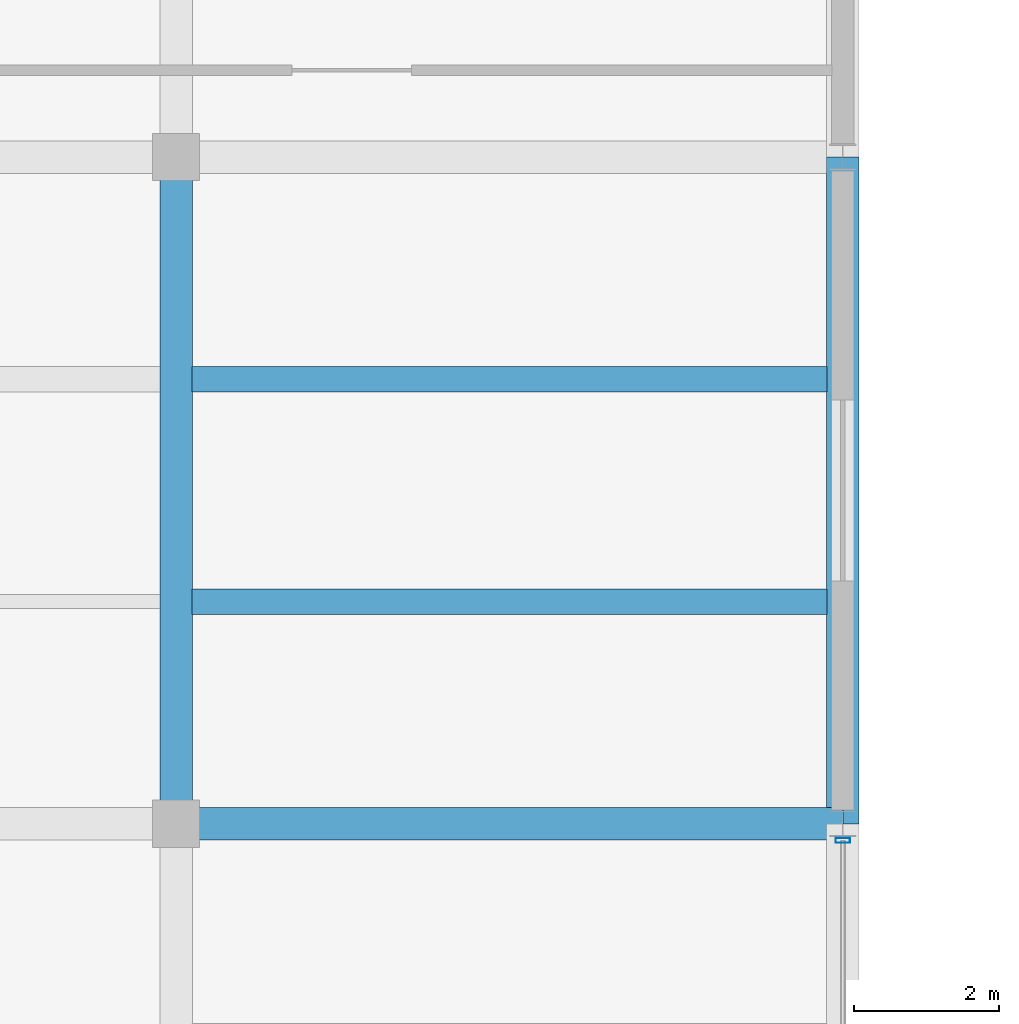
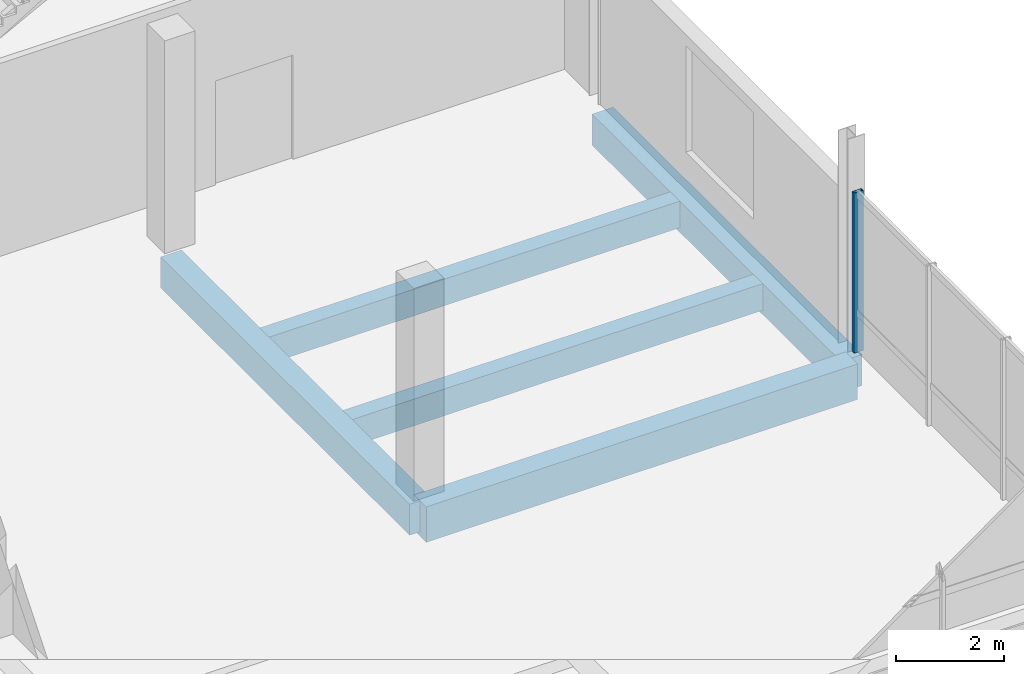
# One storey, part 19 of 71: 5 beams, 1 member, 1 element without a shape of its own.
"""IFC4 building model written with IfcOpenShell, lengths in metres."""

from ifc_helpers import new_model, si_unit, direction, frame, origin, origin_2d, place, context, subcontext, project, spatial, rectangle, hollow_rectangle, extrude, material, layer, layer_set, material_profile, profile_set, type_object, element, aggregate, save


model = new_model("IFC4")

# Units and contexts
model_context = context("Model", 3, precision=1e-05, world=origin(), true_north=direction((0.0, 1.0)))
body_context = subcontext(model_context, "Body", "Model", "MODEL_VIEW")
ifc_project = project(units=[si_unit("LENGTHUNIT", "METRE"), si_unit("AREAUNIT", "SQUARE_METRE"), si_unit("VOLUMEUNIT", "CUBIC_METRE"), si_unit("PLANEANGLEUNIT", "RADIAN"), si_unit("MASSUNIT", "GRAM", prefix="KILO")], contexts=[model_context])

# Site, building, storey
site_placement = place(None, origin())
site = spatial("IfcSite", under=ifc_project, at=site_placement, CompositionType="ELEMENT")
building_placement = place(site_placement, origin())
building = spatial("IfcBuilding", under=site, at=building_placement, Name="Meriwether Solvik Hall", CompositionType="ELEMENT")
storey_placement = place(building_placement, frame((0.0, 0.0, 5.10009765625)))
storey = spatial("IfcBuildingStorey", under=building, at=storey_placement, Name="L01", CompositionType="ELEMENT", Elevation=5.10009765625)

# Beams
ifc_material_1 = material(Name="Concrete C40/50", Category="concrete")
ifc_material_profile_1 = material_profile(ifc_material_1, rectangle(XDim=0.35009765625, YDim=0.60009765625, at=origin_2d()), Name="RCB-350X600")
ifc_profile_set_1 = profile_set([ifc_material_profile_1], Name="Concrete C40/50")
beam_type_1 = type_object("IfcBeamType", Name="BM-RC-350X600", PredefinedType="JOIST", material=ifc_profile_set_1)
for number, where, z_axis, x_axis, name in (
    (1, (105.219970703125, 17.066650390625, -0.60009765625), (1.0, 0.0, 0.0), (0.0, 1.0, 0.0), "Secondary Floor Joist 12/B_J1 (L01)"),
    (2, (105.219970703125, 20.13330078125, -0.60009765625), (1.0, 0.0, 0.0), (0.0, 1.0, 0.0), "Secondary Floor Joist 12/B_J2 (L01)"),
):
    element("IfcBeam", number, at=place(storey_placement, frame(where, z_axis=z_axis, x_axis=x_axis)), inside=storey, type_object=beam_type_1, Name=name, PredefinedType="JOIST", context=body_context, shape_type="SweptSolid", body=[
        extrude(rectangle(XDim=0.35009765625, YDim=0.60009765625, at=origin_2d()), origin(), (0.0, 0.0, 1.0), 8.760009765625),
    ])
ifc_material_2 = material(Name="Concrete C40/50", Category="concrete")
ifc_material_profile_2 = material_profile(ifc_material_2, rectangle(XDim=0.449951171875, YDim=0.699951171875, at=origin_2d()), Name="RCB-450X700")
ifc_profile_set_2 = profile_set([ifc_material_profile_2], Name="Concrete C40/50")
beam_type_2 = type_object("IfcBeamType", Name="BM-RC-450X700", PredefinedType="BEAM", material=ifc_profile_set_2)
for number, where, z_axis, x_axis, name in (
    (3, (105.0, 14.0, -0.650146484375), (0.0, 1.0, 0.0), (-1.0, 0.0, 0.0), "Podium Girder 12:B-C (L01)"),
    (4, (114.199951171875, 14.0, -0.650146484375), (0.0, 1.0, 0.0), (-1.0, 0.0, 0.0), "Podium Girder 13:B-C (L01)"),
):
    element("IfcBeam", number, at=place(storey_placement, frame(where, z_axis=z_axis, x_axis=x_axis)), inside=storey, type_object=beam_type_2, Name=name, PredefinedType="BEAM", context=body_context, shape_type="SweptSolid", body=[
        extrude(rectangle(XDim=0.449951171875, YDim=0.699951171875, at=origin_2d()), origin(), (0.0, 0.0, 1.0), 9.199951171875),
    ])
ifc_material_3 = material(Name="Concrete C40/50", Category="concrete")
ifc_material_profile_3 = material_profile(ifc_material_3, rectangle(XDim=0.449951171875, YDim=0.800048828125, at=origin_2d()), Name="RCB-450X800")
ifc_profile_set_3 = profile_set([ifc_material_profile_3], Name="Concrete C40/50")
beam_type_3 = type_object("IfcBeamType", Name="BM-RC-450X800", PredefinedType="BEAM", material=ifc_profile_set_3)
beam_placement = place(storey_placement, frame((105.0, 14.0, -0.7001953125), z_axis=(1.0, 0.0, 0.0), x_axis=(0.0, 1.0, 0.0)))
element("IfcBeam", 5, at=beam_placement, inside=storey, type_object=beam_type_3, Name="Podium Girder B:12-13 (L01)", PredefinedType="BEAM", context=body_context, shape_type="SweptSolid", body=[
    extrude(rectangle(XDim=0.449951171875, YDim=0.800048828125, at=origin_2d()), origin(), (0.0, 0.0, 1.0), 9.199951171875),
])

# Curtain wall, member
ifc_material_4 = material(Name="Thermally Broken Anodised Aluminium 6063-T6 and Low-E Glass", Category="aluminium")
ifc_layer = layer(ifc_material_4, 0.179931640625)
ifc_layer_set = layer_set([ifc_layer], Name="Thermally Broken Anodised Aluminium 6063-T6 and Low-E Glass")
curtain_wall_type = type_object("IfcCurtainWallType", Name="CW-SF-POD-B", PredefinedType="USERDEFINED", material=ifc_layer_set)
curtain_wall_placement = place(storey_placement, origin())
curtain_wall = element("IfcCurtainWall", 6, at=curtain_wall_placement, inside=storey, type_object=curtain_wall_type, Name="Curtain Wall wing_Y13_1_49 (L01)", ObjectType="STICK STOREFRONT GLAZING", PredefinedType="USERDEFINED")
ifc_material_5 = material(Name="Anodised Aluminium 6063-T6", Category="aluminium")
ifc_material_profile_4 = material_profile(ifc_material_5, hollow_rectangle(XDim=0.070068359375, YDim=0.199951171875, WallThickness=0.0048828125, at=origin_2d()), Name="CWM-70X200")
ifc_profile_set_4 = profile_set([ifc_material_profile_4], Name="Anodised Aluminium 6063-T6")
member_type = type_object("IfcMemberType", Name="CW-MUL-70X200", PredefinedType="MULLION", material=ifc_profile_set_4)
member_placement = place(storey_placement, frame((114.199951171875, 13.77197265625, 0.0), z_axis=(0.0, 0.0, 1.0), x_axis=(0.0, -1.0, 0.0)))
member = element("IfcMember", 7, at=member_placement, type_object=member_type, Name="Curtain Wall Mullion 1", PredefinedType="MULLION", context=body_context, shape_type="SweptSolid", body=[
    extrude(hollow_rectangle(XDim=0.070068359375, YDim=0.199951171875, WallThickness=0.0048828125, at=origin_2d()), origin(), (0.0, 0.0, 1.0), 3.60986328125),
])
aggregate(curtain_wall, [member])

save(model, "model.ifc")
